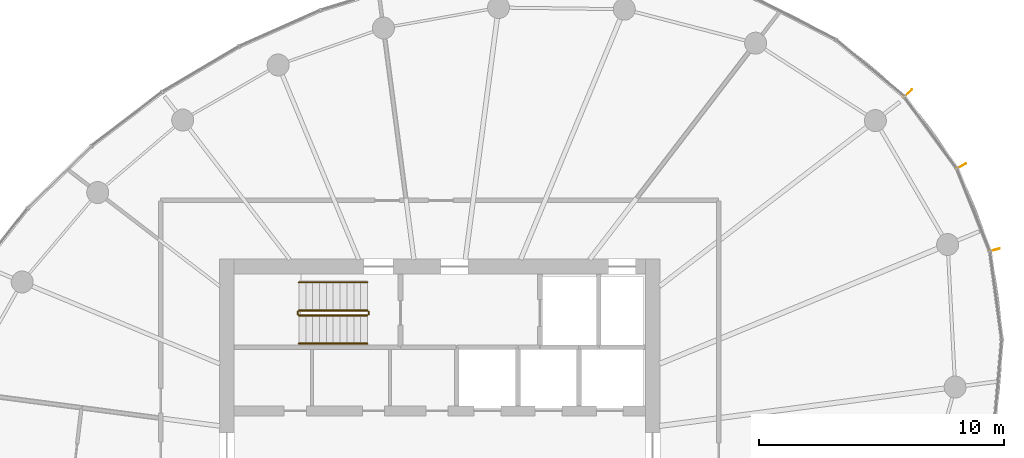
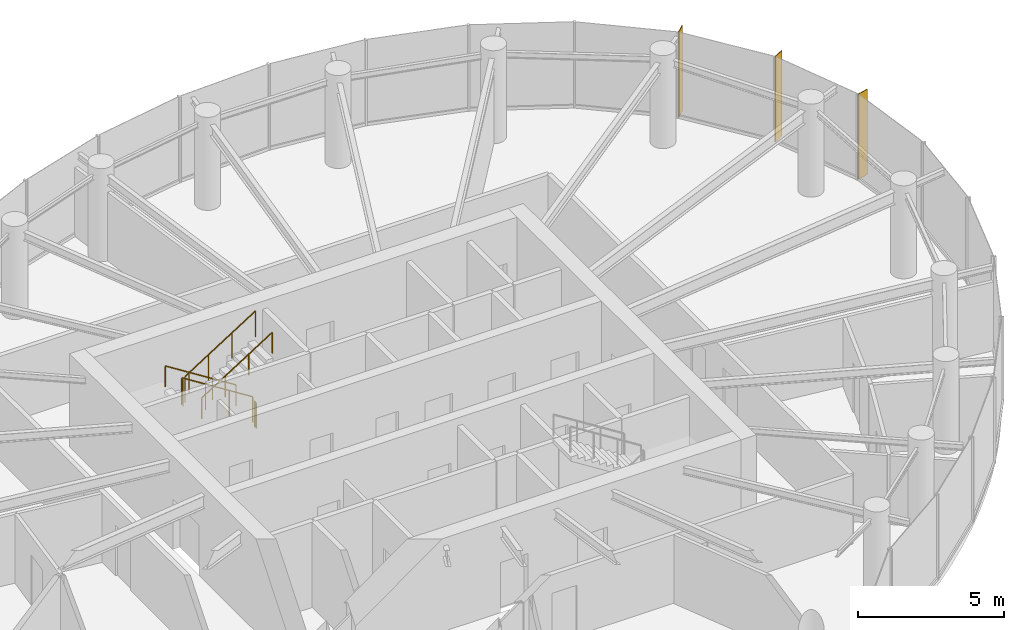
# One storey, part 13 of 13: 6 railings, 3 shading devices.
"""IFC4 building model written with IfcOpenShell, lengths in metres."""

import ifcopenshell
import ifcopenshell.guid

model = None  # the IFC model being written
_history = None  # IfcOwnerHistory: only IFC2X3 demands one
_inside = {}  # id of a spatial element -> (the spatial element, [elements in it])
_under = {}  # id of a project, library or spatial element -> (it, [spatial elements below it])
_declared = {}  # id of a project -> (the project, [libraries it declares])
_typed = {}  # id of a type object -> (the type object, [elements of that type])
_made_of = {}  # id of a material, layer set ... -> (it, [elements and type objects made of it])


def new_model(schema):
    """Start an empty IFC model of exactly this schema.

    Asked for "IFC4X3", IfcOpenShell would pick the latest addendum, in which some entities
    have other attributes; the version numbers below select the first issue.
    IFC2X3 requires an IfcOwnerHistory on every rooted entity: one is made here for all.
    """
    global model, _history
    if schema == "IFC4X3":
        model = ifcopenshell.file(schema_version=(4, 3, 0, 0))
    else:
        model = ifcopenshell.file(schema=schema)
    _inside.clear()
    _under.clear()
    _declared.clear()
    _typed.clear()
    _made_of.clear()
    _history = None
    if model.schema == "IFC2X3":
        org = make("IfcOrganization", Name="unknown")
        user = make(
            "IfcPersonAndOrganization",
            ThePerson=make("IfcPerson", FamilyName="unknown"),
            TheOrganization=org,
        )
        app = make(
            "IfcApplication",
            ApplicationDeveloper=org,
            Version="unknown",
            ApplicationFullName="unknown",
            ApplicationIdentifier="unknown",
        )
        _history = make(
            "IfcOwnerHistory",
            OwningUser=user,
            OwningApplication=app,
            ChangeAction="ADDED",
            CreationDate=0,
        )
    return model


def make(cls, **values):
    """One entity of the class cls with the attributes given. An attribute that is None is left unset."""
    return model.create_entity(
        cls, **{name: value for name, value in values.items() if value is not None}
    )


def rooted(cls, **values):
    """An entity with a GlobalId (a new one), such as an element, a storey or a relation."""
    return make(cls, GlobalId=ifcopenshell.guid.new(), OwnerHistory=_history, **values)


def si_unit(unit_type, name, prefix=None):
    """IfcSIUnit, for example si_unit("LENGTHUNIT", "METRE", prefix="MILLI")."""
    return make("IfcSIUnit", UnitType=unit_type, Prefix=prefix, Name=name)


def assignment(units):
    """IfcUnitAssignment: the units of a project."""
    return None if units is None else make("IfcUnitAssignment", Units=units)


def point(xyz):
    """IfcCartesianPoint."""
    return None if xyz is None else make("IfcCartesianPoint", Coordinates=xyz)


def direction(xyz):
    """IfcDirection."""
    return None if xyz is None else make("IfcDirection", DirectionRatios=xyz)


def frame(location, z_axis=None, x_axis=None):
    """IfcAxis2Placement3D, a coordinate frame: its origin and axes. An axis left out is left unset."""
    return make(
        "IfcAxis2Placement3D",
        Location=point(location),
        Axis=direction(z_axis),
        RefDirection=direction(x_axis),
    )


def frame_2d(location, x_axis=None):
    """IfcAxis2Placement2D, a coordinate frame in the plane: its origin and x axis."""
    return make(
        "IfcAxis2Placement2D", Location=point(location), RefDirection=direction(x_axis)
    )


def origin():
    """The frame at (0, 0, 0) with its axes left unset."""
    return frame((0.0, 0.0, 0.0))


def origin_2d():
    """The frame at (0, 0) in the plane with its x axis left unset."""
    return frame_2d((0.0, 0.0))


def place(relative_to, where):
    """IfcLocalPlacement: puts the frame where relative to a parent placement (None: the world)."""
    return make(
        "IfcLocalPlacement", PlacementRelTo=relative_to, RelativePlacement=where
    )


def context(
    kind, dimensions, precision=None, world=None, true_north=None, identifier=None
):
    """IfcGeometricRepresentationContext, for example the 3D "Model" context."""
    return make(
        "IfcGeometricRepresentationContext",
        ContextIdentifier=identifier,
        ContextType=kind,
        CoordinateSpaceDimension=dimensions,
        Precision=precision,
        WorldCoordinateSystem=world,
        TrueNorth=true_north,
    )


def subcontext(parent, identifier, kind, view, scale=None):
    """IfcGeometricRepresentationSubContext, for example "Body" below "Model"."""
    return make(
        "IfcGeometricRepresentationSubContext",
        ContextIdentifier=identifier,
        ContextType=kind,
        ParentContext=parent,
        TargetScale=scale,
        TargetView=view,
    )


def project(units=None, contexts=None):
    """IfcProject with its units and contexts."""
    return rooted(
        "IfcProject",
        Name="project",
        RepresentationContexts=contexts,
        UnitsInContext=assignment(units),
    )


def spatial(cls, under=None, at=None, **own):
    """A site, building, storey or space (cls), placed at a placement, below another one or the project."""
    s = rooted(cls, ObjectPlacement=at, **own)
    if under is not None:
        _under.setdefault(under.id(), (under, []))[1].append(s)
    return s


def profile(cls, at=None, kind="AREA", **sizes):
    """A parametric profile (cls). Its sizes go by their IFC names, for example OverallWidth=200.0."""
    return make(cls, ProfileType=kind, Position=at, **sizes)


def rectangle(**sizes):
    """IfcRectangleProfileDef."""
    return profile("IfcRectangleProfileDef", **sizes)


def circle(**sizes):
    """IfcCircleProfileDef."""
    return profile("IfcCircleProfileDef", **sizes)


def extrude(swept, where, along, depth):
    """IfcExtrudedAreaSolid: the profile swept, set in the frame where, extruded along a direction by depth."""
    return make(
        "IfcExtrudedAreaSolid",
        SweptArea=swept,
        Position=where,
        ExtrudedDirection=direction(along),
        Depth=depth,
    )


def shape(context_of_items, identifier, shape_type, items):
    """IfcShapeRepresentation: the items that make up one representation, for example the "Body"."""
    return make(
        "IfcShapeRepresentation",
        ContextOfItems=context_of_items,
        RepresentationIdentifier=identifier,
        RepresentationType=shape_type,
        Items=items,
    )


def source(mapping_origin, context_of_items, identifier, shape_type, items):
    """IfcRepresentationMap: a shape defined once, which mapped items show again and again."""
    return make(
        "IfcRepresentationMap",
        MappingOrigin=mapping_origin,
        MappedRepresentation=shape(context_of_items, identifier, shape_type, items),
    )


def transform(
    local_origin,
    x_axis=None,
    y_axis=None,
    z_axis=None,
    scale=None,
    scale2=None,
    scale3=None,
    uniform=True,
):
    """IfcCartesianTransformationOperator3D, or its non-uniform kind. x_axis, y_axis, z_axis: its Axis1, 2, 3."""
    if uniform:
        return make(
            "IfcCartesianTransformationOperator3D",
            Axis1=direction(x_axis),
            Axis2=direction(y_axis),
            LocalOrigin=point(local_origin),
            Scale=scale,
            Axis3=direction(z_axis),
        )
    return make(
        "IfcCartesianTransformationOperator3DnonUniform",
        Axis1=direction(x_axis),
        Axis2=direction(y_axis),
        LocalOrigin=point(local_origin),
        Scale=scale,
        Axis3=direction(z_axis),
        Scale2=scale2,
        Scale3=scale3,
    )


def mapped(mapping_source, mapping_target):
    """IfcMappedItem: shows the shape of a source again, moved by a transform."""
    return make(
        "IfcMappedItem", MappingSource=mapping_source, MappingTarget=mapping_target
    )


def material(Name=None, Category=None):
    """IfcMaterial."""
    return make("IfcMaterial", Name=Name, Category=Category)


def material_profile(
    of_material, cross_section, Name=None, Category=None, Priority=None
):
    """IfcMaterialProfile: a cross section and its material."""
    return make(
        "IfcMaterialProfile",
        Name=Name,
        Material=of_material,
        Profile=cross_section,
        Priority=Priority,
        Category=Category,
    )


def profile_set(profiles, Name=None, composite=None):
    """IfcMaterialProfileSet."""
    return make(
        "IfcMaterialProfileSet",
        Name=Name,
        MaterialProfiles=profiles,
        CompositeProfile=composite,
    )


def made_of(thing, what):
    """Note that an element or type object is made of a material, layer set ...; save() writes the relation."""
    if what is not None:
        _made_of.setdefault(what.id(), (what, []))[1].append(thing)
    return thing


def type_object(cls, material=None, **own):
    """A type object (cls), such as IfcWallType, which elements share."""
    return made_of(rooted(cls, **own), material)


def element(
    cls,
    number,
    at=None,
    inside=None,
    cuts=None,
    type_object=None,
    material=None,
    context=None,
    identifier="Body",
    shape_type=None,
    held_by="IfcProductDefinitionShape",
    body=None,
    shapes=None,
    **own,
):
    """One element of the class cls, such as IfcWall. Its Tag is "e" and its number.

    at: its placement. inside: the storey or other place that contains it. cuts: it is an
    opening in that element (IfcRelVoidsElement). A single representation is given by context,
    identifier, shape_type and body (its items); several are given by shapes. held_by: the class
    of the entity that holds the representations. save() writes the other relations.
    """
    e = rooted(cls, Tag="e%d" % number, ObjectPlacement=at, **own)
    if body is not None:
        shapes = [shape(context, identifier, shape_type, body)]
    if shapes is not None:
        e.Representation = make(held_by, Representations=shapes)
    if inside is not None:
        _inside.setdefault(inside.id(), (inside, []))[1].append(e)
    if cuts is not None:
        rooted(
            "IfcRelVoidsElement", RelatingBuildingElement=cuts, RelatedOpeningElement=e
        )
    if type_object is not None:
        _typed.setdefault(type_object.id(), (type_object, []))[1].append(e)
    return made_of(e, material)


def aggregate(whole, parts):
    """IfcRelAggregates: a whole, such as a stair, and the parts it consists of."""
    return rooted("IfcRelAggregates", RelatingObject=whole, RelatedObjects=parts)


def save(model, path):
    """Write the relations noted so far, then the file.

    IfcRelAggregates (storeys below a building ...), IfcRelContainedInSpatialStructure (elements
    in a storey), IfcRelDefinesByType, IfcRelAssociatesMaterial and IfcRelDeclares: one each for
    every whole, place, type object, material and project.
    """
    for whole, parts in _under.values():
        aggregate(whole, parts)
    for where, things in _inside.values():
        rooted(
            "IfcRelContainedInSpatialStructure",
            RelatedElements=things,
            RelatingStructure=where,
        )
    for kind, things in _typed.values():
        rooted("IfcRelDefinesByType", RelatedObjects=things, RelatingType=kind)
    for what, things in _made_of.values():
        rooted("IfcRelAssociatesMaterial", RelatedObjects=things, RelatingMaterial=what)
    for by, libraries in _declared.values():
        rooted("IfcRelDeclares", RelatingContext=by, RelatedDefinitions=libraries)
    model.write(path)


model = new_model("IFC4")

# Units and contexts
model_context = context("Model", 3, precision=1e-05, world=origin(), true_north=direction((0.0, 1.0)))
body_context = subcontext(model_context, "Body", "Model", "MODEL_VIEW")
ifc_project = project(units=[si_unit("LENGTHUNIT", "METRE"), si_unit("AREAUNIT", "SQUARE_METRE"), si_unit("VOLUMEUNIT", "CUBIC_METRE"), si_unit("PLANEANGLEUNIT", "RADIAN"), si_unit("MASSUNIT", "GRAM", prefix="KILO")], contexts=[model_context])

# Site, building, storey
site_placement = place(None, origin())
site = spatial("IfcSite", under=ifc_project, at=site_placement, CompositionType="ELEMENT")
building_placement = place(site_placement, origin())
building = spatial("IfcBuilding", under=site, at=building_placement, Name="Spindrift Exchange Tower", CompositionType="ELEMENT")
storey_placement = place(building_placement, frame((0.0, 0.0, 218.89990234375)))
storey = spatial("IfcBuildingStorey", under=building, at=storey_placement, Name="L53", CompositionType="ELEMENT", Elevation=218.89990234375)

# Railings
ifc_material_1 = material(Name="Steel balustrade", Category="steel")
railing_type_1 = type_object("IfcRailingType", Name="RL-STAIR-GUARD", PredefinedType="GUARDRAIL", material=ifc_material_1)
railing_1_placement = place(storey_placement, frame((49.050048828125, 53.89990234375, 0.177490234375)))
element("IfcRailing", 1, at=railing_1_placement, inside=storey, type_object=railing_type_1, Name="L53 ST1 stair guard 1", PredefinedType="GUARDRAIL", context=body_context, shape_type="SweptSolid", body=[
    extrude(circle(Radius=0.02392578125, at=origin_2d()), frame((0.0, 0.0, 1.076171875), z_axis=(-0.844908973607, 0.0, 0.534910110503), x_axis=(0.0, -1.0, 0.0)), (0.0, 0.0, 1.0), 3.31396484375),
    extrude(circle(Radius=0.02099609375, at=origin_2d()), origin(), (0.0, 0.0, 1.0), 1.052001953125),
    extrude(circle(Radius=0.02099609375, at=origin_2d()), frame((-0.933349609375, 0.0, 0.5908203125)), (0.0, 0.0, 1.0), 1.052001953125),
    extrude(circle(Radius=0.02099609375, at=origin_2d()), frame((-1.86669921875, 0.0, 1.181884765625)), (0.0, 0.0, 1.0), 1.052001953125),
    extrude(circle(Radius=0.02099609375, at=origin_2d()), frame((-2.800048828125, 0.0, 1.772705078125)), (0.0, 0.0, 1.0), 1.052001953125),
])
railing_2_placement = place(storey_placement, frame((46.199951171875, 53.85009765625, 1.9501953125)))
element("IfcRailing", 2, at=railing_2_placement, inside=storey, type_object=railing_type_1, Name="L53 ST1 stair guard 2", PredefinedType="GUARDRAIL", context=body_context, shape_type="SweptSolid", body=[
    extrude(circle(Radius=0.02392578125, at=origin_2d()), frame((0.0, 0.0, 1.076171875), z_axis=(0.0, -1.0, 0.0), x_axis=(1.0, 0.0, 0.0)), (0.0, 0.0, 1.0), 0.10009765625),
    extrude(circle(Radius=0.02099609375, at=origin_2d()), origin(), (0.0, 0.0, 1.0), 1.052001953125),
    extrude(circle(Radius=0.02099609375, at=origin_2d()), frame((0.0, -0.10009765625, 0.0)), (0.0, 0.0, 1.0), 1.052001953125),
])
railing_3_placement = place(storey_placement, frame((46.25, 53.699951171875, 2.12744140625)))
element("IfcRailing", 3, at=railing_3_placement, inside=storey, type_object=railing_type_1, Name="L53 ST1 stair guard 3", PredefinedType="GUARDRAIL", context=body_context, shape_type="SweptSolid", body=[
    extrude(circle(Radius=0.02392578125, at=origin_2d()), frame((0.0, 0.0, 1.076171875), z_axis=(0.844908973607, 0.0, 0.534910110503), x_axis=(0.0, 1.0, 0.0)), (0.0, 0.0, 1.0), 3.31396484375),
    extrude(circle(Radius=0.02099609375, at=origin_2d()), origin(), (0.0, 0.0, 1.0), 1.052001953125),
    extrude(circle(Radius=0.02099609375, at=origin_2d()), frame((0.933349609375, 0.0, 0.5908203125)), (0.0, 0.0, 1.0), 1.052001953125),
    extrude(circle(Radius=0.02099609375, at=origin_2d()), frame((1.86669921875, 0.0, 1.181884765625)), (0.0, 0.0, 1.0), 1.052001953125),
    extrude(circle(Radius=0.02099609375, at=origin_2d()), frame((2.800048828125, 0.0, 1.772705078125)), (0.0, 0.0, 1.0), 1.052001953125),
])
railing_4_placement = place(storey_placement, frame((49.10009765625, 53.85009765625, 0.0)))
element("IfcRailing", 4, at=railing_4_placement, inside=storey, type_object=railing_type_1, Name="L53 ST1 stair guard 4", PredefinedType="GUARDRAIL", context=body_context, shape_type="SweptSolid", body=[
    extrude(circle(Radius=0.02392578125, at=origin_2d()), frame((0.0, 0.0, 1.076171875), z_axis=(0.0, -1.0, 0.0), x_axis=(1.0, 0.0, 0.0)), (0.0, 0.0, 1.0), 0.10009765625),
    extrude(circle(Radius=0.02099609375, at=origin_2d()), origin(), (0.0, 0.0, 1.0), 1.052001953125),
    extrude(circle(Radius=0.02099609375, at=origin_2d()), frame((0.0, -0.10009765625, 0.0)), (0.0, 0.0, 1.0), 1.052001953125),
])
ifc_material_2 = material(Name="Steel tubular handrail", Category="steel")
railing_type_2 = type_object("IfcRailingType", Name="RL-STAIR-HAND", PredefinedType="HANDRAIL", material=ifc_material_2)
railing_5_placement = place(storey_placement, frame((49.050048828125, 55.050048828125, 0.177490234375)))
element("IfcRailing", 5, at=railing_5_placement, inside=storey, type_object=railing_type_2, Name="L53 ST1 stair handrail 1", PredefinedType="HANDRAIL", context=body_context, shape_type="SweptSolid", body=[
    extrude(circle(Radius=0.02392578125, at=origin_2d()), frame((0.0, 0.0, 0.8759765625), z_axis=(-0.844908973607, 0.0, 0.534910110503), x_axis=(0.0, -1.0, 0.0)), (0.0, 0.0, 1.0), 3.31396484375),
    extrude(circle(Radius=0.02099609375, at=origin_2d()), origin(), (0.0, 0.0, 1.0), 0.851806640625),
    extrude(circle(Radius=0.02099609375, at=origin_2d()), frame((-0.933349609375, 0.0, 0.5908203125)), (0.0, 0.0, 1.0), 0.851806640625),
    extrude(circle(Radius=0.02099609375, at=origin_2d()), frame((-1.86669921875, 0.0, 1.181884765625)), (0.0, 0.0, 1.0), 0.851806640625),
    extrude(circle(Radius=0.02099609375, at=origin_2d()), frame((-2.800048828125, 0.0, 1.772705078125)), (0.0, 0.0, 1.0), 0.851806640625),
])
railing_6_placement = place(storey_placement, frame((46.25, 52.550048828125, 2.12744140625)))
element("IfcRailing", 6, at=railing_6_placement, inside=storey, type_object=railing_type_2, Name="L53 ST1 stair handrail 2", PredefinedType="HANDRAIL", context=body_context, shape_type="SweptSolid", body=[
    extrude(circle(Radius=0.02392578125, at=origin_2d()), frame((0.0, 0.0, 0.8759765625), z_axis=(0.844908973607, 0.0, 0.534910110503), x_axis=(0.0, 1.0, 0.0)), (0.0, 0.0, 1.0), 3.31396484375),
    extrude(circle(Radius=0.02099609375, at=origin_2d()), origin(), (0.0, 0.0, 1.0), 0.851806640625),
    extrude(circle(Radius=0.02099609375, at=origin_2d()), frame((0.933349609375, 0.0, 0.5908203125)), (0.0, 0.0, 1.0), 0.851806640625),
    extrude(circle(Radius=0.02099609375, at=origin_2d()), frame((1.86669921875, 0.0, 1.181884765625)), (0.0, 0.0, 1.0), 0.851806640625),
    extrude(circle(Radius=0.02099609375, at=origin_2d()), frame((2.800048828125, 0.0, 1.772705078125)), (0.0, 0.0, 1.0), 0.851806640625),
])

# Shading devices
ifc_material_3 = material(Name="Bronze anodised aluminium", Category="aluminium")
ifc_material_profile = material_profile(ifc_material_3, rectangle(XDim=0.030029296875, YDim=0.449951171875, at=origin_2d()), Name="WIND FIN 30X450")
ifc_profile_set = profile_set([ifc_material_profile], Name="Bronze anodised aluminium")
shading_device_type = type_object("IfcShadingDeviceType", Name="WIND FIN 30X450", PredefinedType="USERDEFINED", material=ifc_profile_set)
shared_shape = source(origin(), body_context, "Body", "SweptSolid", [
    extrude(rectangle(XDim=0.030029296875, YDim=0.449951171875, at=origin_2d()), origin(), (0.0, 0.0, 1.0), 3.580078125),
])
for number, where, z_axis, x_axis, name in (
    (7, (73.30810546875, 59.796142578125, 0.0), (0.0, 0.0, 1.0), (-0.484327172739, 0.874886958268, 0.0), "L53 wind fin 2"),
    (8, (71.13134765625, 62.767822265625, 0.0), (0.0, 0.0, 1.0), (-0.684797706644, 0.7287332166, 0.0), "L53 wind fin 3"),
    (9, (74.6708984375, 56.3740234375, 0.0), (0.0, 0.0, 1.0), (-0.254066872365, 0.967186654357, 0.0), "L53 wind fin 4"),
):
    element("IfcShadingDevice", number, at=place(storey_placement, frame(where, z_axis=z_axis, x_axis=x_axis)), inside=storey, type_object=shading_device_type, Name=name, ObjectType="FIN", PredefinedType="USERDEFINED", context=body_context, shape_type="MappedRepresentation", body=[
        mapped(shared_shape, transform((0.0, 0.0, 0.0), scale=1.0)),
    ])

save(model, "model.ifc")
